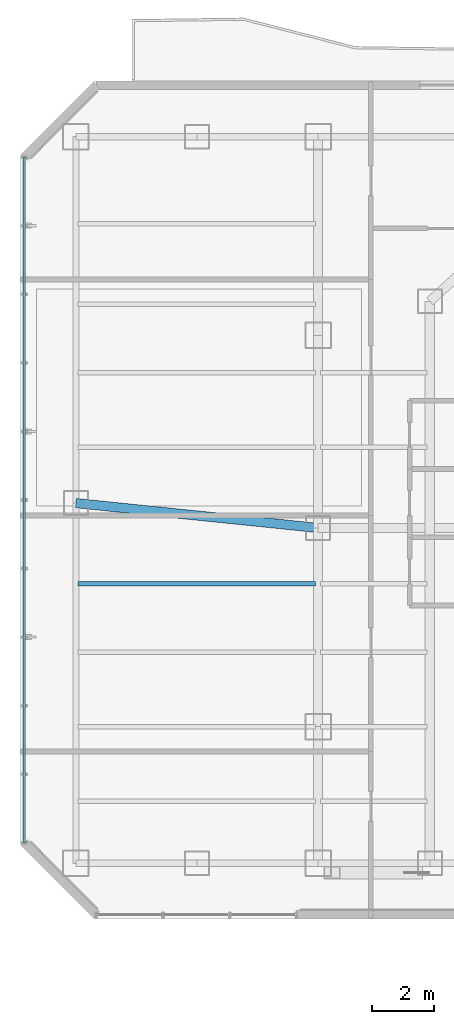
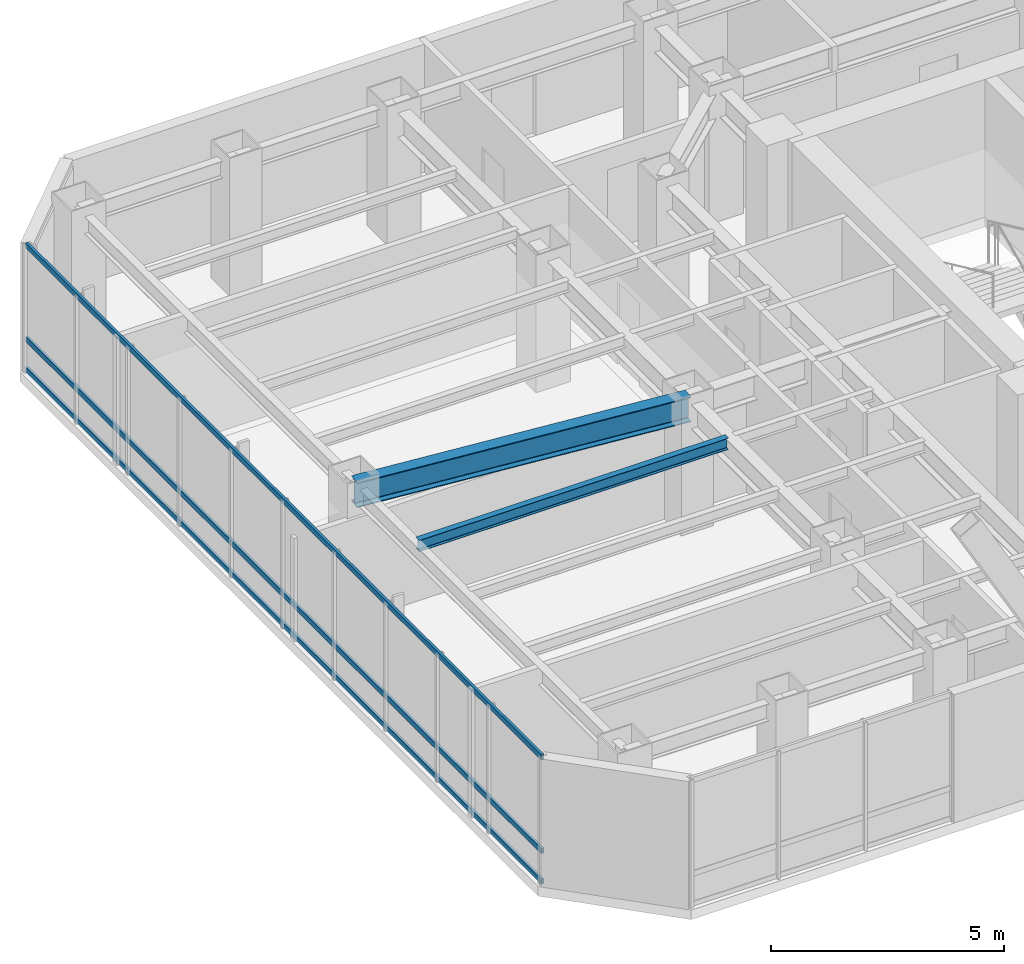
# One storey, part 7 of 28: 3 members, 2 beams, 1 element without a shape of its own.
"""IFC4 building model written with IfcOpenShell, lengths in metres."""

from ifc_helpers import new_model, si_unit, direction, frame, origin, origin_2d, place, context, subcontext, project, spatial, hollow_rectangle, i_section, extrude, material, layer, layer_set, material_profile, profile_set, type_object, element, aggregate, save


model = new_model("IFC4")

# Units and contexts
model_context = context("Model", 3, precision=1e-05, world=origin(), true_north=direction((0.0, 1.0)))
body_context = subcontext(model_context, "Body", "Model", "MODEL_VIEW")
ifc_project = project(units=[si_unit("LENGTHUNIT", "METRE"), si_unit("AREAUNIT", "SQUARE_METRE"), si_unit("VOLUMEUNIT", "CUBIC_METRE"), si_unit("PLANEANGLEUNIT", "RADIAN"), si_unit("MASSUNIT", "GRAM", prefix="KILO")], contexts=[model_context])

# Site, building, storey
site_placement = place(None, origin())
site = spatial("IfcSite", under=ifc_project, at=site_placement, CompositionType="ELEMENT")
building_placement = place(site_placement, origin())
building = spatial("IfcBuilding", under=site, at=building_placement, Name="Hatsunagi Terrace Concourse", CompositionType="ELEMENT")
storey_placement = place(building_placement, frame((0.0, 0.0, 160.050048828125)))
storey = spatial("IfcBuildingStorey", under=building, at=storey_placement, Name="L42", CompositionType="ELEMENT", Elevation=160.050048828125)

# Curtain wall, members
ifc_material_1 = material(Name="Anodised Aluminium Alloy 6063-T5", Category="aluminium")
ifc_layer = layer(ifc_material_1, 0.199951171875)
ifc_layer_set = layer_set([ifc_layer], Name="OfficeZone1_CW03")
curtain_wall_type = type_object("IfcCurtainWallType", Name="OfficeZone1_CW03", PredefinedType="NOTDEFINED", material=ifc_layer_set)
curtain_wall_placement = place(storey_placement, origin())
curtain_wall = element("IfcCurtainWall", 1, at=curtain_wall_placement, inside=storey, type_object=curtain_wall_type, Name="Unitised Curtain Wall CW-03 CW-L42-09", PredefinedType="NOTDEFINED")
ifc_material_2 = material(Name="Anodised Aluminium Alloy 6063-T5", Category="aluminium")
ifc_material_profile_1 = material_profile(ifc_material_2, hollow_rectangle(XDim=0.06494140625, YDim=0.139892578125, WallThickness=0.00390625, at=origin_2d()), Name="ALU-TRN-140x65x4")
ifc_profile_set_1 = profile_set([ifc_material_profile_1], Name="Anodised Aluminium Alloy 6063-T5")
member_type = type_object("IfcMemberType", Name="CurtainWallTransom_140x65", PredefinedType="USERDEFINED", material=ifc_profile_set_1)
member_1_placement = place(storey_placement, frame((9.739990234375, 25.85791015625, 0.050048828125), z_axis=(0.0, 1.0, 0.0), x_axis=(-1.0, 0.0, 0.0)))
member_1 = element("IfcMember", 2, at=member_1_placement, type_object=member_type, Name="Curtain Wall Transom TRN-02", ObjectType="TRANSOM", PredefinedType="USERDEFINED", context=body_context, shape_type="SweptSolid", body=[
    extrude(hollow_rectangle(XDim=0.06494140625, YDim=0.139892578125, WallThickness=0.00390625, at=origin_2d()), origin(), (0.0, 0.0, 1.0), 22.083984375),
])
member_2_placement = place(storey_placement, frame((9.739990234375, 25.85791015625, 0.849853515625), z_axis=(0.0, 1.0, 0.0), x_axis=(-1.0, 0.0, 0.0)))
member_2 = element("IfcMember", 3, at=member_2_placement, type_object=member_type, Name="Curtain Wall Transom TRN-02", ObjectType="TRANSOM", PredefinedType="USERDEFINED", context=body_context, shape_type="SweptSolid", body=[
    extrude(hollow_rectangle(XDim=0.06494140625, YDim=0.139892578125, WallThickness=0.00390625, at=origin_2d()), origin(), (0.0, 0.0, 1.0), 22.083984375),
])
member_3_placement = place(storey_placement, frame((9.739990234375, 25.85791015625, 3.300048828125), z_axis=(0.0, 1.0, 0.0), x_axis=(-1.0, 0.0, 0.0)))
member_3 = element("IfcMember", 4, at=member_3_placement, type_object=member_type, Name="Curtain Wall Transom TRN-02", ObjectType="TRANSOM", PredefinedType="USERDEFINED", context=body_context, shape_type="SweptSolid", body=[
    extrude(hollow_rectangle(XDim=0.06494140625, YDim=0.139892578125, WallThickness=0.00390625, at=origin_2d()), origin(), (0.0, 0.0, 1.0), 22.083984375),
])
aggregate(curtain_wall, [member_1, member_2, member_3])

# Beams
ifc_material_3 = material(Name="Steel SN490B", Category="steel")
ifc_material_profile_2 = material_profile(ifc_material_3, i_section(OverallWidth=0.14990234375, OverallDepth=0.300048828125, WebThickness=0.006591796875, FlangeThickness=0.009033203125, FilletRadius=0.010986328125, at=origin_2d()), Name="H-300x150x6.5x9")
ifc_profile_set_2 = profile_set([ifc_material_profile_2], Name="Steel SN490B")
beam_type_1 = type_object("IfcBeamType", Name="OfficeJoist_H_300x150", PredefinedType="JOIST", material=ifc_profile_set_2)
beam_1_placement = place(storey_placement, frame((11.465087890625, 34.199951171875, 3.199951171875), z_axis=(1.0, 0.0, 0.0), x_axis=(0.0, 1.0, 0.0)))
element("IfcBeam", 5, at=beam_1_placement, inside=storey, type_object=beam_type_1, Name="Beam J-03 J-L42-W-11-342", PredefinedType="JOIST", context=body_context, shape_type="SweptSolid", body=[
    extrude(i_section(OverallWidth=0.14990234375, OverallDepth=0.300048828125, WebThickness=0.006591796875, FlangeThickness=0.009033203125, FilletRadius=0.010986328125, at=origin_2d()), origin(), (0.0, 0.0, 1.0), 7.64990234375),
])
ifc_material_4 = material(Name="Steel SN490B", Category="steel")
ifc_material_profile_3 = material_profile(ifc_material_4, i_section(OverallWidth=0.300048828125, OverallDepth=0.64990234375, WebThickness=0.012939453125, FlangeThickness=0.02197265625, FilletRadius=0.01806640625, at=origin_2d()), Name="H-650x300x13x22")
ifc_profile_set_3 = profile_set([ifc_material_profile_3], Name="Steel SN490B")
beam_type_2 = type_object("IfcBeamType", Name="OfficeLowGirder_H_650x300", PredefinedType="BEAM", material=ifc_profile_set_3)
beam_2_placement = place(storey_placement, frame((11.39990234375, 36.800048828125, 3.02490234375), z_axis=(0.994780871372, -0.102034395927, 0.0), x_axis=(0.102034395927, 0.994780871372, 0.0)))
element("IfcBeam", 6, at=beam_2_placement, inside=storey, type_object=beam_type_2, Name="Beam G-05 BM-L42-EW-2", PredefinedType="BEAM", context=body_context, shape_type="SweptSolid", body=[
    extrude(i_section(OverallWidth=0.300048828125, OverallDepth=0.64990234375, WebThickness=0.012939453125, FlangeThickness=0.02197265625, FilletRadius=0.01806640625, at=origin_2d()), origin(), (0.0, 0.0, 1.0), 7.841064453125),
])

save(model, "model.ifc")
